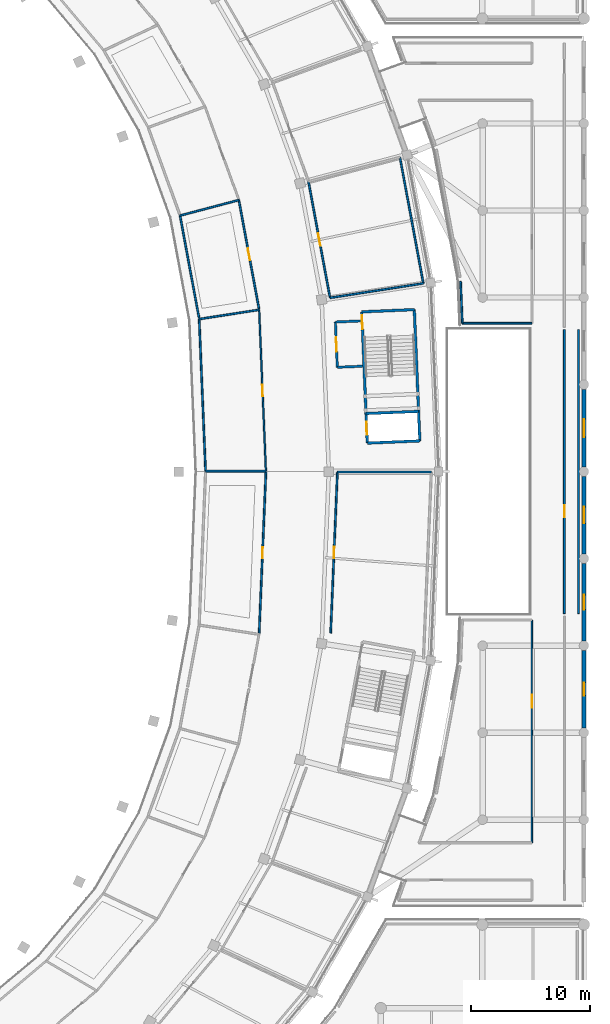
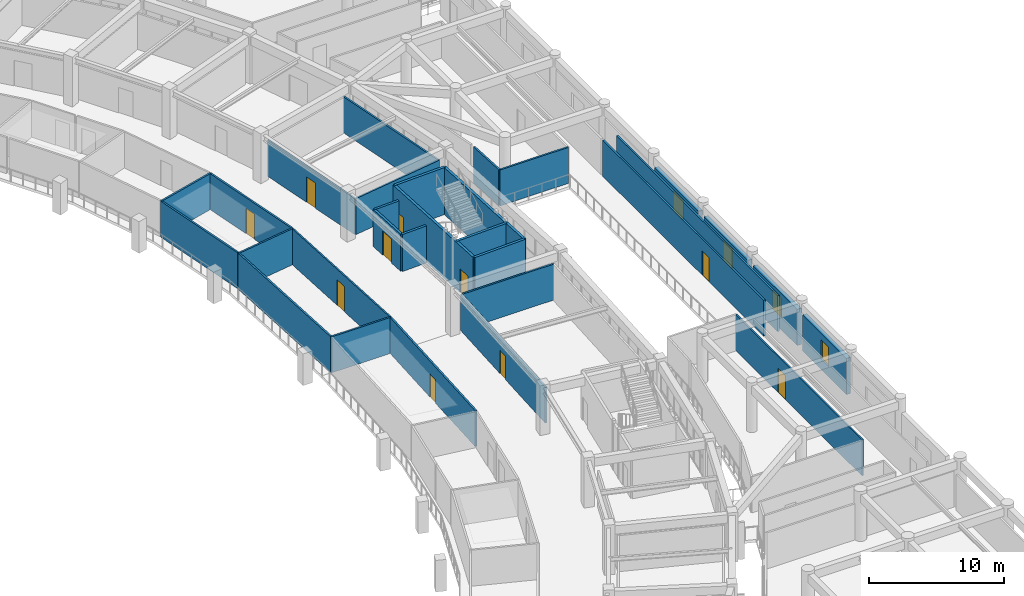
# One storey, part 101 of 141: 30 walls, 10 doors, 4 windows, 14 openings.
"""IFC4 building model written with IfcOpenShell, lengths in metres."""

from ifc_helpers import new_model, si_unit, direction, frame, frame_2d, origin, place, context, subcontext, project, spatial, rectangle, extrude, material, layer, layer_set, type_object, element, fill, save


model = new_model("IFC4")

# Units and contexts
model_context = context("Model", 3, precision=1e-05, world=origin(), true_north=direction((0.0, 1.0)))
body_context = subcontext(model_context, "Body", "Model", "MODEL_VIEW")
ifc_project = project(units=[si_unit("LENGTHUNIT", "METRE"), si_unit("AREAUNIT", "SQUARE_METRE"), si_unit("VOLUMEUNIT", "CUBIC_METRE"), si_unit("PLANEANGLEUNIT", "RADIAN"), si_unit("MASSUNIT", "GRAM", prefix="KILO")], contexts=[model_context])

# Site, building, storey
site_placement = place(None, origin())
site = spatial("IfcSite", under=ifc_project, at=site_placement, CompositionType="ELEMENT")
building_placement = place(site_placement, origin())
building = spatial("IfcBuilding", under=site, at=building_placement, Name="Mphavela Belvedere Stadium", CompositionType="ELEMENT")
storey_placement = place(building_placement, frame((0.0, 0.0, 14.699951171875)))
storey = spatial("IfcBuildingStorey", under=building, at=storey_placement, Name="L03", CompositionType="ELEMENT", Elevation=14.699951171875)

# Walls
ifc_material_1 = material(Name="Concrete C40/50", Category="concrete")
ifc_layer_1 = layer(ifc_material_1, 0.219970703125)
ifc_layer_set_1 = layer_set([ifc_layer_1], Name="Concrete C40/50")
wall_type_1 = type_object("IfcWallType", Name="WAL-CORE-SHEAR-220", PredefinedType="SHEAR", material=ifc_layer_set_1)
wall_1_placement = place(storey_placement, frame((215.771728515625, 100.585205078125, 0.0), z_axis=(0.0, 0.0, 1.0), x_axis=(0.041871977473, -0.999122984173, 0.0)))
element("IfcWall", 1, at=wall_1_placement, inside=storey, type_object=wall_type_1, Name="Core C01 shear wall L03 rear", PredefinedType="SHEAR", context=body_context, shape_type="SweptSolid", body=[
    extrude(rectangle(XDim=11.02001953125, YDim=0.219970703125, at=frame_2d((5.510009765625, 0.0))), origin(), (0.0, 0.0, 1.0), 4.25),
])
for number, where, z_axis, x_axis, name in (
    (2, (211.365478515625, 100.400390625, 0.0), (0.0, 0.0, 1.0), (0.999121521721, 0.041906859039, 0.0), "Core C01 shear wall L03 left"),
    (3, (211.826904296875, 89.39013671875, 0.0), (0.0, 0.0, 1.0), (0.999121521721, 0.041906859039, 0.0), "Core C01 shear wall L03 right"),
):
    element("IfcWall", number, at=place(storey_placement, frame(where, z_axis=z_axis, x_axis=x_axis)), inside=storey, type_object=wall_type_1, Name=name, PredefinedType="SHEAR", context=body_context, shape_type="SweptSolid", body=[
        extrude(rectangle(XDim=4.41015625, YDim=0.219970703125, at=frame_2d((2.205078125, 0.0))), origin(), (0.0, 0.0, 1.0), 4.25),
    ])

# Wall, openings, doors
wall_2_placement = place(storey_placement, frame((211.365478515625, 100.400390625, 0.0), z_axis=(0.0, 0.0, 1.0), x_axis=(0.041871977473, -0.999122984173, 0.0)))
wall_2 = element("IfcWall", 4, at=wall_2_placement, inside=storey, type_object=wall_type_1, Name="Core C01 shear wall L03 front", PredefinedType="SHEAR", context=body_context, shape_type="SweptSolid", body=[
    extrude(rectangle(XDim=11.02001953125, YDim=0.219970703125, at=frame_2d((5.510009765625, 0.0))), origin(), (0.0, 0.0, 1.0), 4.25),
])
opening_1_placement = place(wall_2_placement, frame((0.300048828125, 0.0, 0.0)))
opening_1 = element("IfcOpeningElement", 5, at=opening_1_placement, cuts=wall_2, Name="Opening SD-004", PredefinedType="OPENING", context=body_context, shape_type="SweptSolid", body=[
    extrude(rectangle(XDim=1.14990234375, YDim=2.14990234375, at=frame_2d((0.574951171875, 1.074951171875))), frame((0.0, 0.1201171875, 0.0), z_axis=(0.0, -1.0, 0.0), x_axis=(1.0, 0.0, 0.0)), (0.0, 0.0, 1.0), 0.239990234375),
])
opening_2_placement = place(wall_2_placement, frame((9.22998046875, 0.0, 0.0)))
opening_2 = element("IfcOpeningElement", 6, at=opening_2_placement, cuts=wall_2, Name="Opening LD-004", PredefinedType="OPENING", context=body_context, shape_type="SweptSolid", body=[
    extrude(rectangle(XDim=1.10009765625, YDim=2.14990234375, at=frame_2d((0.550048828125, 1.074951171875))), frame((0.0, 0.1201171875, 0.0), z_axis=(0.0, -1.0, 0.0), x_axis=(1.0, 0.0, 0.0)), (0.0, 0.0, 1.0), 0.239990234375),
])
ifc_material_2 = material(Name="Stainless steel center-parting lift landing door", Category="steel")
door_type_1 = type_object("IfcDoorType", Name="DR-LIFT-SLIDE-1100", OperationType="NOTDEFINED", PredefinedType="DOOR", material=ifc_material_2)
door_1_placement = place(opening_2_placement, origin())
door_1 = element("IfcDoor", 7, at=door_1_placement, inside=storey, type_object=door_type_1, Name="Lift landing sliding door FL01 L03", OperationType="DOUBLE_DOOR_SLIDING", OverallHeight=2.14990234375, OverallWidth=1.10009765625, PredefinedType="DOOR", context=body_context, shape_type="SweptSolid", body=[
    extrude(rectangle(XDim=1.10009765625, YDim=2.14990234375, at=frame_2d((0.550048828125, 1.074951171875))), frame((0.0, 0.02490234375, 0.0), z_axis=(0.0, -1.0, 0.0), x_axis=(1.0, 0.0, 0.0)), (0.0, 0.0, 1.0), 0.050048828125),
])
fill(opening_2, door_1)
ifc_material_3 = material(Name="Steel acoustic fire-resisting stair doorset", Category="steel")
door_type_2 = type_object("IfcDoorType", Name="DR-STAIR-FIRE-1150", OperationType="NOTDEFINED", PredefinedType="DOOR", material=ifc_material_3)
door_2_placement = place(opening_1_placement, origin())
door_2 = element("IfcDoor", 8, at=door_2_placement, inside=storey, type_object=door_type_2, Name="Escape stair fire door C01 L03", OperationType="SINGLE_SWING_LEFT", OverallHeight=2.14990234375, OverallWidth=1.14990234375, PredefinedType="DOOR", context=body_context, shape_type="SweptSolid", body=[
    extrude(rectangle(XDim=1.14990234375, YDim=2.14990234375, at=frame_2d((0.574951171875, 1.074951171875))), frame((0.0, 0.02490234375, 0.0), z_axis=(0.0, -1.0, 0.0), x_axis=(1.0, 0.0, 0.0)), (0.0, 0.0, 1.0), 0.050048828125),
])
fill(opening_1, door_2)

# Wall
wall_3_placement = place(storey_placement, frame((211.72314453125, 91.867919921875, 0.0), z_axis=(0.0, 0.0, 1.0), x_axis=(0.999121521721, 0.041906859039, 0.0)))
element("IfcWall", 9, at=wall_3_placement, inside=storey, type_object=wall_type_1, Name="Core C01 shear wall L03 div", PredefinedType="SHEAR", context=body_context, shape_type="SweptSolid", body=[
    extrude(rectangle(XDim=4.41015625, YDim=0.219970703125, at=frame_2d((2.205078125, 0.0))), origin(), (0.0, 0.0, 1.0), 4.25),
])

# Wall, opening, window
ifc_material_4 = material(Name="Honed ashlar limestone masonry", Category="masonry")
ifc_layer_2 = layer(ifc_material_4, 0.35009765625)
ifc_layer_set_2 = layer_set([ifc_layer_2], Name="Honed ashlar limestone masonry")
wall_type_2 = type_object("IfcWallType", Name="WAL-EXT-ASHLAR-350", PredefinedType="STANDARD", material=ifc_layer_set_2)
wall_4_placement = place(storey_placement, frame((230.0, 72.001953125, 0.0), z_axis=(0.0, 0.0, 1.0), x_axis=(0.0, -1.0, 0.0)))
wall_4 = element("IfcWall", 10, at=wall_4_placement, inside=storey, type_object=wall_type_2, Name="East Planted Eaves Peristyle Colonnade outer facade bay L03-03", PredefinedType="STANDARD", context=body_context, shape_type="SweptSolid", body=[
    extrude(rectangle(XDim=6.50390625, YDim=0.35009765625, at=frame_2d((3.251953125, 0.0))), origin(), (0.0, 0.0, 1.0), 3.260009765625),
])
opening_3_placement = place(wall_4_placement, frame((2.701904296875, 0.0, 0.89990234375)))
opening_3 = element("IfcOpeningElement", 11, at=opening_3_placement, cuts=wall_4, Name="Opening W-320", PredefinedType="OPENING", context=body_context, shape_type="SweptSolid", body=[
    extrude(rectangle(XDim=1.10009765625, YDim=1.75, at=frame_2d((0.550048828125, 0.875))), frame((0.0, 0.18505859375, 0.0), z_axis=(0.0, -1.0, 0.0), x_axis=(1.0, 0.0, 0.0)), (0.0, 0.0, 1.0), 0.3701171875),
])
ifc_material_5 = material(Name="Bronze-anodised thermally broken aluminium window", Category="aluminium")
window_type_1 = type_object("IfcWindowType", Name="WIN-EXT-12", PartitioningType="SINGLE_PANEL", PredefinedType="WINDOW", material=ifc_material_5)
window_1_placement = place(opening_3_placement, origin())
window_1 = element("IfcWindow", 12, at=window_1_placement, inside=storey, type_object=window_type_1, Name="East Planted Eaves Peristyle Colonnade classical window W-320", OverallHeight=1.75, OverallWidth=1.10009765625, PartitioningType="SINGLE_PANEL", PredefinedType="WINDOW", context=body_context, shape_type="SweptSolid", body=[
    extrude(rectangle(XDim=1.10009765625, YDim=1.75, at=frame_2d((0.550048828125, 0.875))), frame((0.0, 0.030029296875, 0.0), z_axis=(0.0, -1.0, 0.0), x_axis=(1.0, 0.0, 0.0)), (0.0, 0.0, 1.0), 0.06005859375),
])
fill(opening_3, window_1)

wall_5_placement = place(storey_placement, frame((230.0, 79.302001953125, 0.0), z_axis=(0.0, 0.0, 1.0), x_axis=(0.0, -1.0, 0.0)))
wall_5 = element("IfcWall", 13, at=wall_5_placement, inside=storey, type_object=wall_type_2, Name="East Planted Eaves Peristyle Colonnade outer facade bay L03-04", PredefinedType="STANDARD", context=body_context, shape_type="SweptSolid", body=[
    extrude(rectangle(XDim=6.50390625, YDim=0.35009765625, at=frame_2d((3.251953125, 0.0))), origin(), (0.0, 0.0, 1.0), 3.260009765625),
])
opening_4_placement = place(wall_5_placement, frame((2.632080078125, 0.0, 0.89990234375)))
opening_4 = element("IfcOpeningElement", 14, at=opening_4_placement, cuts=wall_5, Name="Opening W-321", PredefinedType="OPENING", context=body_context, shape_type="SweptSolid", body=[
    extrude(rectangle(XDim=1.239990234375, YDim=1.75, at=frame_2d((0.6201171875, 0.875))), frame((0.0, 0.18505859375, 0.0), z_axis=(0.0, -1.0, 0.0), x_axis=(1.0, 0.0, 0.0)), (0.0, 0.0, 1.0), 0.3701171875),
])
ifc_material_6 = material(Name="Bronze-anodised thermally broken aluminium window", Category="aluminium")
window_type_2 = type_object("IfcWindowType", Name="WIN-EXT-13", PartitioningType="SINGLE_PANEL", PredefinedType="WINDOW", material=ifc_material_6)
window_2_placement = place(opening_4_placement, origin())
window_2 = element("IfcWindow", 15, at=window_2_placement, inside=storey, type_object=window_type_2, Name="East Planted Eaves Peristyle Colonnade classical window W-321", OverallHeight=1.75, OverallWidth=1.239990234375, PartitioningType="SINGLE_PANEL", PredefinedType="WINDOW", context=body_context, shape_type="SweptSolid", body=[
    extrude(rectangle(XDim=1.239990234375, YDim=1.75, at=frame_2d((0.6201171875, 0.875))), frame((0.0, 0.030029296875, 0.0), z_axis=(0.0, -1.0, 0.0), x_axis=(1.0, 0.0, 0.0)), (0.0, 0.0, 1.0), 0.06005859375),
])
fill(opening_4, window_2)

wall_6_placement = place(storey_placement, frame((230.0, 86.60205078125, 0.0), z_axis=(0.0, 0.0, 1.0), x_axis=(0.0, -1.0, 0.0)))
wall_6 = element("IfcWall", 16, at=wall_6_placement, inside=storey, type_object=wall_type_2, Name="East Planted Eaves Peristyle Colonnade outer facade bay L03-05", PredefinedType="STANDARD", context=body_context, shape_type="SweptSolid", body=[
    extrude(rectangle(XDim=6.504150390625, YDim=0.35009765625, at=frame_2d((3.251953125, 0.0))), origin(), (0.0, 0.0, 1.0), 3.260009765625),
])
opening_5_placement = place(wall_6_placement, frame((2.56201171875, 0.0, 0.89990234375)))
opening_5 = element("IfcOpeningElement", 17, at=opening_5_placement, cuts=wall_6, Name="Opening W-322", PredefinedType="OPENING", context=body_context, shape_type="SweptSolid", body=[
    extrude(rectangle(XDim=1.3798828125, YDim=1.75, at=frame_2d((0.68994140625, 0.875))), frame((0.0, 0.18505859375, 0.0), z_axis=(0.0, -1.0, 0.0), x_axis=(1.0, 0.0, 0.0)), (0.0, 0.0, 1.0), 0.3701171875),
])
ifc_material_7 = material(Name="Bronze-anodised thermally broken aluminium window", Category="aluminium")
window_type_3 = type_object("IfcWindowType", Name="WIN-EXT-14", PartitioningType="SINGLE_PANEL", PredefinedType="WINDOW", material=ifc_material_7)
window_3_placement = place(opening_5_placement, origin())
window_3 = element("IfcWindow", 18, at=window_3_placement, inside=storey, type_object=window_type_3, Name="East Planted Eaves Peristyle Colonnade classical window W-322", OverallHeight=1.75, OverallWidth=1.3798828125, PartitioningType="SINGLE_PANEL", PredefinedType="WINDOW", context=body_context, shape_type="SweptSolid", body=[
    extrude(rectangle(XDim=1.3798828125, YDim=1.75, at=frame_2d((0.68994140625, 0.875))), frame((0.0, 0.030029296875, 0.0), z_axis=(0.0, -1.0, 0.0), x_axis=(1.0, 0.0, 0.0)), (0.0, 0.0, 1.0), 0.06005859375),
])
fill(opening_5, window_3)

wall_7_placement = place(storey_placement, frame((230.0, 93.902099609375, 0.0), z_axis=(0.0, 0.0, 1.0), x_axis=(0.0, -1.0, 0.0)))
wall_7 = element("IfcWall", 19, at=wall_7_placement, inside=storey, type_object=wall_type_2, Name="East Planted Eaves Peristyle Colonnade outer facade bay L03-06", PredefinedType="STANDARD", context=body_context, shape_type="SweptSolid", body=[
    extrude(rectangle(XDim=6.504150390625, YDim=0.35009765625, at=frame_2d((3.251953125, 0.0))), origin(), (0.0, 0.0, 1.0), 3.260009765625),
])
opening_6_placement = place(wall_7_placement, frame((2.491943359375, 0.0, 0.89990234375)))
opening_6 = element("IfcOpeningElement", 20, at=opening_6_placement, cuts=wall_7, Name="Opening W-323", PredefinedType="OPENING", context=body_context, shape_type="SweptSolid", body=[
    extrude(rectangle(XDim=1.52001953125, YDim=1.75, at=frame_2d((0.760009765625, 0.875))), frame((0.0, 0.18505859375, 0.0), z_axis=(0.0, -1.0, 0.0), x_axis=(1.0, 0.0, 0.0)), (0.0, 0.0, 1.0), 0.3701171875),
])
ifc_material_8 = material(Name="Bronze-anodised thermally broken aluminium window", Category="aluminium")
window_type_4 = type_object("IfcWindowType", Name="WIN-EXT-15", PartitioningType="SINGLE_PANEL", PredefinedType="WINDOW", material=ifc_material_8)
window_4_placement = place(opening_6_placement, origin())
window_4 = element("IfcWindow", 21, at=window_4_placement, inside=storey, type_object=window_type_4, Name="East Planted Eaves Peristyle Colonnade classical window W-323", OverallHeight=1.75, OverallWidth=1.52001953125, PartitioningType="SINGLE_PANEL", PredefinedType="WINDOW", context=body_context, shape_type="SweptSolid", body=[
    extrude(rectangle(XDim=1.52001953125, YDim=1.75, at=frame_2d((0.760009765625, 0.875))), frame((0.0, 0.030029296875, 0.0), z_axis=(0.0, -1.0, 0.0), x_axis=(1.0, 0.0, 0.0)), (0.0, 0.0, 1.0), 0.06005859375),
])
fill(opening_6, window_4)

# Wall, opening, door
ifc_material_9 = material(Name="Moisture-resistant sanitary partition assembly")
ifc_layer_3 = layer(ifc_material_9, 0.125)
ifc_layer_set_3 = layer_set([ifc_layer_3], Name="Moisture-resistant sanitary partition assembly")
wall_type_3 = type_object("IfcWallType", Name="WAL-PART-125", PredefinedType="PARTITIONING", material=ifc_layer_set_3)
wall_8_placement = place(storey_placement, frame((202.7578125, 100.5712890625, 0.0), z_axis=(0.0, 0.0, 1.0), x_axis=(0.041894479342, -0.999122040894, 0.0)))
wall_8 = element("IfcWall", 22, at=wall_8_placement, inside=storey, type_object=wall_type_3, Name="Room L03-34 corridor partition", PredefinedType="PARTITIONING", context=body_context, shape_type="SweptSolid", body=[
    extrude(rectangle(XDim=13.543212890625, YDim=0.125, at=frame_2d((6.771484375, 0.0))), origin(), (0.0, 0.0, 1.0), 3.25),
])
opening_7_placement = place(wall_8_placement, frame((6.281494140625, 0.0, 0.0)))
opening_7 = element("IfcOpeningElement", 23, at=opening_7_placement, cuts=wall_8, Name="Opening ID-243", PredefinedType="OPENING", context=body_context, shape_type="SweptSolid", body=[
    extrude(rectangle(XDim=0.97998046875, YDim=2.300048828125, at=frame_2d((0.489990234375, 1.14990234375))), frame((0.0, 0.072509765625, 0.0), z_axis=(0.0, -1.0, 0.0), x_axis=(1.0, 0.0, 0.0)), (0.0, 0.0, 1.0), 0.14501953125),
])
ifc_material_10 = material(Name="Hardwood acoustic timber doorset", Category="wood")
door_type_3 = type_object("IfcDoorType", Name="DR-INT-27", OperationType="NOTDEFINED", PredefinedType="DOOR", material=ifc_material_10)
door_3_placement = place(opening_7_placement, origin())
door_3 = element("IfcDoor", 24, at=door_3_placement, inside=storey, type_object=door_type_3, Name="Room L03-34 entrance door ID-243", OperationType="SINGLE_SWING_LEFT", OverallHeight=2.300048828125, OverallWidth=0.97998046875, PredefinedType="DOOR", context=body_context, shape_type="SweptSolid", body=[
    extrude(rectangle(XDim=0.97998046875, YDim=2.300048828125, at=frame_2d((0.489990234375, 1.14990234375))), frame((0.0, 0.02490234375, 0.0), z_axis=(0.0, -1.0, 0.0), x_axis=(1.0, 0.0, 0.0)), (0.0, 0.0, 1.0), 0.050048828125),
])
fill(opening_7, door_3)

wall_9_placement = place(storey_placement, frame((225.639892578125, 74.550048828125, 0.0), z_axis=(0.0, 0.0, 1.0), x_axis=(0.0, -1.0, 0.0)))
wall_9 = element("IfcWall", 25, at=wall_9_placement, inside=storey, type_object=wall_type_3, Name="Room L03-205 corridor partition", PredefinedType="PARTITIONING", context=body_context, shape_type="SweptSolid", body=[
    extrude(rectangle(XDim=18.68994140625, YDim=0.125, at=frame_2d((9.344970703125, 0.0))), origin(), (0.0, 0.0, 1.0), 3.25),
])
opening_8_placement = place(wall_9_placement, frame((6.25244140625, 0.0, 0.0)))
opening_8 = element("IfcOpeningElement", 26, at=opening_8_placement, cuts=wall_9, Name="Opening ID-558", PredefinedType="OPENING", context=body_context, shape_type="SweptSolid", body=[
    extrude(rectangle(XDim=1.10009765625, YDim=2.199951171875, at=frame_2d((0.550048828125, 1.10009765625))), frame((0.0, 0.072509765625, 0.0), z_axis=(0.0, -1.0, 0.0), x_axis=(1.0, 0.0, 0.0)), (0.0, 0.0, 1.0), 0.14501953125),
])
ifc_material_11 = material(Name="Hardwood acoustic timber doorset", Category="wood")
door_type_4 = type_object("IfcDoorType", Name="DR-INT-18", OperationType="NOTDEFINED", PredefinedType="DOOR", material=ifc_material_11)
door_4_placement = place(opening_8_placement, origin())
door_4 = element("IfcDoor", 27, at=door_4_placement, inside=storey, type_object=door_type_4, Name="Room L03-205 entrance door ID-558", OperationType="SINGLE_SWING_RIGHT", OverallHeight=2.199951171875, OverallWidth=1.10009765625, PredefinedType="DOOR", context=body_context, shape_type="SweptSolid", body=[
    extrude(rectangle(XDim=1.10009765625, YDim=2.199951171875, at=frame_2d((0.550048828125, 1.10009765625))), frame((0.0, 0.02490234375, 0.0), z_axis=(0.0, -1.0, 0.0), x_axis=(1.0, 0.0, 0.0)), (0.0, 0.0, 1.0), 0.050048828125),
])
fill(opening_8, door_4)

ifc_material_12 = material(Name="Acoustic gypsum stud partition assembly")
ifc_layer_4 = layer(ifc_material_12, 0.14990234375)
ifc_layer_set_4 = layer_set([ifc_layer_4], Name="Acoustic gypsum stud partition assembly")
wall_type_4 = type_object("IfcWallType", Name="WAL-PART-150", PredefinedType="PARTITIONING", material=ifc_layer_set_4)
wall_10_placement = place(storey_placement, frame((201.053466796875, 109.779052734375, 0.0), z_axis=(0.0, 0.0, 1.0), x_axis=(0.182600545941, -0.983187184936, 0.0)))
wall_10 = element("IfcWall", 28, at=wall_10_placement, inside=storey, type_object=wall_type_4, Name="Room L03-36 corridor partition", PredefinedType="PARTITIONING", context=body_context, shape_type="SweptSolid", body=[
    extrude(rectangle(XDim=9.2841796875, YDim=0.14990234375, at=frame_2d((4.64208984375, 0.0))), origin(), (0.0, 0.0, 1.0), 3.25),
])
opening_9_placement = place(wall_10_placement, frame((4.132080078125, 0.0, 0.0)))
opening_9 = element("IfcOpeningElement", 29, at=opening_9_placement, cuts=wall_10, Name="Opening ID-244", PredefinedType="OPENING", context=body_context, shape_type="SweptSolid", body=[
    extrude(rectangle(XDim=1.02001953125, YDim=2.300048828125, at=frame_2d((0.510009765625, 1.14990234375))), frame((0.0, 0.0849609375, 0.0), z_axis=(0.0, -1.0, 0.0), x_axis=(1.0, 0.0, 0.0)), (0.0, 0.0, 1.0), 0.169921875),
])
ifc_material_13 = material(Name="Hardwood acoustic timber doorset", Category="wood")
door_type_5 = type_object("IfcDoorType", Name="DR-INT-28", OperationType="NOTDEFINED", PredefinedType="DOOR", material=ifc_material_13)
door_5_placement = place(opening_9_placement, origin())
door_5 = element("IfcDoor", 30, at=door_5_placement, inside=storey, type_object=door_type_5, Name="Room L03-36 entrance door ID-244", OperationType="SINGLE_SWING_RIGHT", OverallHeight=2.300048828125, OverallWidth=1.02001953125, PredefinedType="DOOR", context=body_context, shape_type="SweptSolid", body=[
    extrude(rectangle(XDim=1.02001953125, YDim=2.300048828125, at=frame_2d((0.510009765625, 1.14990234375))), frame((0.0, 0.02490234375, 0.0), z_axis=(0.0, -1.0, 0.0), x_axis=(1.0, 0.0, 0.0)), (0.0, 0.0, 1.0), 0.050048828125),
])
fill(opening_9, door_5)

wall_11_placement = place(storey_placement, frame((208.706787109375, 101.5751953125, 0.0), z_axis=(0.0, 0.0, 1.0), x_axis=(-0.182618024057, 0.983183938686, 0.0)))
wall_11 = element("IfcWall", 31, at=wall_11_placement, inside=storey, type_object=wall_type_4, Name="Room L03-37 corridor partition", PredefinedType="PARTITIONING", context=body_context, shape_type="SweptSolid", body=[
    extrude(rectangle(XDim=9.919677734375, YDim=0.14990234375, at=frame_2d((4.9599609375, 0.0))), origin(), (0.0, 0.0, 1.0), 3.25),
])
opening_10_placement = place(wall_11_placement, frame((4.429931640625, 0.0, 0.0)))
opening_10 = element("IfcOpeningElement", 32, at=opening_10_placement, cuts=wall_11, Name="Opening ID-245", PredefinedType="OPENING", context=body_context, shape_type="SweptSolid", body=[
    extrude(rectangle(XDim=1.06005859375, YDim=2.300048828125, at=frame_2d((0.530029296875, 1.14990234375))), frame((0.0, 0.0849609375, 0.0), z_axis=(0.0, -1.0, 0.0), x_axis=(1.0, 0.0, 0.0)), (0.0, 0.0, 1.0), 0.169921875),
])
ifc_material_14 = material(Name="Hardwood acoustic timber doorset", Category="wood")
door_type_6 = type_object("IfcDoorType", Name="DR-INT-29", OperationType="NOTDEFINED", PredefinedType="DOOR", material=ifc_material_14)
door_6_placement = place(opening_10_placement, origin())
door_6 = element("IfcDoor", 33, at=door_6_placement, inside=storey, type_object=door_type_6, Name="Room L03-37 entrance door ID-245", OperationType="SINGLE_SWING_LEFT", OverallHeight=2.300048828125, OverallWidth=1.06005859375, PredefinedType="DOOR", context=body_context, shape_type="SweptSolid", body=[
    extrude(rectangle(XDim=1.06005859375, YDim=2.300048828125, at=frame_2d((0.530029296875, 1.14990234375))), frame((0.0, 0.02490234375, 0.0), z_axis=(0.0, -1.0, 0.0), x_axis=(1.0, 0.0, 0.0)), (0.0, 0.0, 1.0), 0.050048828125),
])
fill(opening_10, door_6)

wall_12_placement = place(storey_placement, frame((203.3251953125, 86.9599609375, 0.0), z_axis=(0.0, 0.0, 1.0), x_axis=(-0.041894479342, -0.999122040894, 0.0)))
wall_12 = element("IfcWall", 34, at=wall_12_placement, inside=storey, type_object=wall_type_4, Name="Room L03-163 corridor partition", PredefinedType="PARTITIONING", context=body_context, shape_type="SweptSolid", body=[
    extrude(rectangle(XDim=13.543212890625, YDim=0.14990234375, at=frame_2d((6.771484375, 0.0))), origin(), (0.0, 0.0, 1.0), 3.25),
])
opening_11_placement = place(wall_12_placement, frame((6.321533203125, 0.0, 0.0)))
opening_11 = element("IfcOpeningElement", 35, at=opening_11_placement, cuts=wall_12, Name="Opening ID-325", PredefinedType="OPENING", context=body_context, shape_type="SweptSolid", body=[
    extrude(rectangle(XDim=0.89990234375, YDim=2.10009765625, at=frame_2d((0.449951171875, 1.050048828125))), frame((0.0, 0.0849609375, 0.0), z_axis=(0.0, -1.0, 0.0), x_axis=(1.0, 0.0, 0.0)), (0.0, 0.0, 1.0), 0.169921875),
])
ifc_material_15 = material(Name="Hardwood acoustic timber doorset", Category="wood")
door_type_7 = type_object("IfcDoorType", Name="DR-INT-01", OperationType="NOTDEFINED", PredefinedType="DOOR", material=ifc_material_15)
door_7_placement = place(opening_11_placement, origin())
door_7 = element("IfcDoor", 36, at=door_7_placement, inside=storey, type_object=door_type_7, Name="Room L03-163 entrance door ID-325", OperationType="SINGLE_SWING_LEFT", OverallHeight=2.10009765625, OverallWidth=0.89990234375, PredefinedType="DOOR", context=body_context, shape_type="SweptSolid", body=[
    extrude(rectangle(XDim=0.89990234375, YDim=2.10009765625, at=frame_2d((0.449951171875, 1.050048828125))), frame((0.0, 0.02490234375, 0.0), z_axis=(0.0, -1.0, 0.0), x_axis=(1.0, 0.0, 0.0)), (0.0, 0.0, 1.0), 0.050048828125),
])
fill(opening_11, door_7)

wall_13_placement = place(storey_placement, frame((208.756103515625, 73.4619140625, 0.0), z_axis=(0.0, 0.0, 1.0), x_axis=(0.04192519436, 0.999120752501, 0.0)))
wall_13 = element("IfcWall", 37, at=wall_13_placement, inside=storey, type_object=wall_type_4, Name="Room L03-164 corridor partition", PredefinedType="PARTITIONING", context=body_context, shape_type="SweptSolid", body=[
    extrude(rectangle(XDim=13.510009765625, YDim=0.14990234375, at=frame_2d((6.7548828125, 0.0))), origin(), (0.0, 0.0, 1.0), 3.25),
])
opening_12_placement = place(wall_13_placement, frame((6.284912109375, 0.0, 0.0)))
opening_12 = element("IfcOpeningElement", 38, at=opening_12_placement, cuts=wall_13, Name="Opening ID-326", PredefinedType="OPENING", context=body_context, shape_type="SweptSolid", body=[
    extrude(rectangle(XDim=0.93994140625, YDim=2.10009765625, at=frame_2d((0.469970703125, 1.050048828125))), frame((0.0, 0.0849609375, 0.0), z_axis=(0.0, -1.0, 0.0), x_axis=(1.0, 0.0, 0.0)), (0.0, 0.0, 1.0), 0.169921875),
])
ifc_material_16 = material(Name="Hardwood acoustic timber doorset", Category="wood")
door_type_8 = type_object("IfcDoorType", Name="DR-INT-02", OperationType="NOTDEFINED", PredefinedType="DOOR", material=ifc_material_16)
door_8_placement = place(opening_12_placement, origin())
door_8 = element("IfcDoor", 39, at=door_8_placement, inside=storey, type_object=door_type_8, Name="Room L03-164 entrance door ID-326", OperationType="SINGLE_SWING_RIGHT", OverallHeight=2.10009765625, OverallWidth=0.93994140625, PredefinedType="DOOR", context=body_context, shape_type="SweptSolid", body=[
    extrude(rectangle(XDim=0.93994140625, YDim=2.10009765625, at=frame_2d((0.469970703125, 1.050048828125))), frame((0.0, 0.02490234375, 0.0), z_axis=(0.0, -1.0, 0.0), x_axis=(1.0, 0.0, 0.0)), (0.0, 0.0, 1.0), 0.050048828125),
])
fill(opening_12, door_8)

wall_14_placement = place(storey_placement, frame((228.360107421875, 75.083251953125, 0.0), z_axis=(0.0, 0.0, 1.0), x_axis=(0.0, 1.0, 0.0)))
wall_14 = element("IfcWall", 40, at=wall_14_placement, inside=storey, type_object=wall_type_4, Name="Room L03-203 corridor partition", PredefinedType="PARTITIONING", context=body_context, shape_type="SweptSolid", body=[
    extrude(rectangle(XDim=23.83349609375, YDim=0.14990234375, at=frame_2d((11.916748046875, 0.0))), origin(), (0.0, 0.0, 1.0), 3.25),
])
opening_13_placement = place(wall_14_placement, frame((8.080810546875, 0.0, 0.0)))
opening_13 = element("IfcOpeningElement", 41, at=opening_13_placement, cuts=wall_14, Name="Opening ID-556", PredefinedType="OPENING", context=body_context, shape_type="SweptSolid", body=[
    extrude(rectangle(XDim=1.02001953125, YDim=2.199951171875, at=frame_2d((0.510009765625, 1.10009765625))), frame((0.0, 0.0849609375, 0.0), z_axis=(0.0, -1.0, 0.0), x_axis=(1.0, 0.0, 0.0)), (0.0, 0.0, 1.0), 0.169921875),
])
ifc_material_17 = material(Name="Hardwood acoustic timber doorset", Category="wood")
door_type_9 = type_object("IfcDoorType", Name="DR-INT-16", OperationType="NOTDEFINED", PredefinedType="DOOR", material=ifc_material_17)
door_9_placement = place(opening_13_placement, origin())
door_9 = element("IfcDoor", 42, at=door_9_placement, inside=storey, type_object=door_type_9, Name="Room L03-203 entrance door ID-556", OperationType="SINGLE_SWING_RIGHT", OverallHeight=2.199951171875, OverallWidth=1.02001953125, PredefinedType="DOOR", context=body_context, shape_type="SweptSolid", body=[
    extrude(rectangle(XDim=1.02001953125, YDim=2.199951171875, at=frame_2d((0.510009765625, 1.10009765625))), frame((0.0, 0.02490234375, 0.0), z_axis=(0.0, -1.0, 0.0), x_axis=(1.0, 0.0, 0.0)), (0.0, 0.0, 1.0), 0.050048828125),
])
fill(opening_13, door_9)

# Walls
wall_15_placement = place(storey_placement, frame((198.264404296875, 87.0400390625, 0.0), z_axis=(0.0, 0.0, 1.0), x_axis=(-0.04191221065, 0.99912129724, 0.0)))
element("IfcWall", 43, at=wall_15_placement, inside=storey, type_object=wall_type_4, Name="Room divider partition L03-0434", PredefinedType="PARTITIONING", context=body_context, shape_type="SweptSolid", body=[
    extrude(rectangle(XDim=12.7626953125, YDim=0.14990234375, at=frame_2d((6.38134765625, 0.0))), origin(), (0.0, 0.0, 1.0), 3.25),
])
wall_16_placement = place(storey_placement, frame((197.7294921875, 99.79150390625, 0.0), z_axis=(0.0, 0.0, 1.0), x_axis=(0.988187937952, 0.153246857342, 0.0)))
element("IfcWall", 44, at=wall_16_placement, inside=storey, type_object=wall_type_4, Name="Room divider partition L03-0435", PredefinedType="PARTITIONING", context=body_context, shape_type="SweptSolid", body=[
    extrude(rectangle(XDim=5.08837890625, YDim=0.14990234375, at=frame_2d((2.544189453125, 0.0))), origin(), (0.0, 0.0, 1.0), 3.25),
])
wall_17_placement = place(storey_placement, frame((203.3251953125, 87.0400390625, 0.0), z_axis=(0.0, 0.0, 1.0), x_axis=(-1.0, 0.0, 0.0)))
element("IfcWall", 45, at=wall_17_placement, inside=storey, type_object=wall_type_4, Name="Room divider partition L03-0436", PredefinedType="PARTITIONING", context=body_context, shape_type="SweptSolid", body=[
    extrude(rectangle(XDim=5.060791015625, YDim=0.14990234375, at=frame_2d((2.5302734375, 0.0))), origin(), (0.0, 0.0, 1.0), 3.25),
])
wall_18_placement = place(storey_placement, frame((197.72021484375, 99.87109375, 0.0), z_axis=(0.0, 0.0, 1.0), x_axis=(-0.18261493362, 0.983184512703, 0.0)))
element("IfcWall", 46, at=wall_18_placement, inside=storey, type_object=wall_type_4, Name="Room divider partition L03-0437", PredefinedType="PARTITIONING", context=body_context, shape_type="SweptSolid", body=[
    extrude(rectangle(XDim=8.747314453125, YDim=0.14990234375, at=frame_2d((4.37353515625, 0.0))), origin(), (0.0, 0.0, 1.0), 3.25),
])
wall_19_placement = place(storey_placement, frame((196.122802734375, 108.471435546875, 0.0), z_axis=(0.0, 0.0, 1.0), x_axis=(0.966586731076, 0.256339796576, 0.0)))
element("IfcWall", 47, at=wall_19_placement, inside=storey, type_object=wall_type_4, Name="Room divider partition L03-0438", PredefinedType="PARTITIONING", context=body_context, shape_type="SweptSolid", body=[
    extrude(rectangle(XDim=5.10107421875, YDim=0.14990234375, at=frame_2d((2.550537109375, 0.0))), origin(), (0.0, 0.0, 1.0), 3.25),
])
wall_20_placement = place(storey_placement, frame((214.56640625, 113.3623046875, 0.0), z_axis=(0.0, 0.0, 1.0), x_axis=(0.182607868301, -0.983185824976, 0.0)))
element("IfcWall", 48, at=wall_20_placement, inside=storey, type_object=wall_type_4, Name="Room divider partition L03-0440", PredefinedType="PARTITIONING", context=body_context, shape_type="SweptSolid", body=[
    extrude(rectangle(XDim=10.754638671875, YDim=0.14990234375, at=frame_2d((5.37744140625, 0.0))), origin(), (0.0, 0.0, 1.0), 3.25),
])
wall_21_placement = place(storey_placement, frame((216.5302734375, 102.78857421875, 0.0), z_axis=(0.0, 0.0, 1.0), x_axis=(-0.988185582016, -0.153262048451, 0.0)))
element("IfcWall", 49, at=wall_21_placement, inside=storey, type_object=wall_type_4, Name="Room divider partition L03-0441", PredefinedType="PARTITIONING", context=body_context, shape_type="SweptSolid", body=[
    extrude(rectangle(XDim=7.9169921875, YDim=0.14990234375, at=frame_2d((3.95849609375, 0.0))), origin(), (0.0, 0.0, 1.0), 3.25),
])
wall_22_placement = place(storey_placement, frame((209.322509765625, 86.9599609375, 0.0), z_axis=(0.0, 0.0, 1.0), x_axis=(1.0, 0.0, 0.0)))
element("IfcWall", 50, at=wall_22_placement, inside=storey, type_object=wall_type_4, Name="Room divider partition L03-0586", PredefinedType="PARTITIONING", context=body_context, shape_type="SweptSolid", body=[
    extrude(rectangle(XDim=7.873779296875, YDim=0.14990234375, at=frame_2d((3.93701171875, 0.0))), origin(), (0.0, 0.0, 1.0), 3.25),
])
wall_23_placement = place(storey_placement, frame((229.550048828125, 98.916748046875, 0.0), z_axis=(0.0, 0.0, 1.0), x_axis=(0.0, -1.0, 0.0)))
element("IfcWall", 51, at=wall_23_placement, inside=storey, type_object=wall_type_4, Name="Room divider partition L03-1271", PredefinedType="PARTITIONING", context=body_context, shape_type="SweptSolid", body=[
    extrude(rectangle(XDim=23.83349609375, YDim=0.14990234375, at=frame_2d((11.916748046875, 0.0))), origin(), (0.0, 0.0, 1.0), 3.25),
])
wall_24_placement = place(storey_placement, frame((225.639892578125, 99.449951171875, 0.0), z_axis=(0.0, 0.0, 1.0), x_axis=(-1.0, 0.0, 0.0)))
element("IfcWall", 52, at=wall_24_placement, inside=storey, type_object=wall_type_4, Name="Room divider partition L03-1280", PredefinedType="PARTITIONING", context=body_context, shape_type="SweptSolid", body=[
    extrude(rectangle(XDim=5.83984375, YDim=0.14990234375, at=frame_2d((2.919921875, 0.0))), origin(), (0.0, 0.0, 1.0), 3.25),
])
wall_25_placement = place(storey_placement, frame((219.800048828125, 99.449951171875, 0.0), z_axis=(0.0, 0.0, 1.0), x_axis=(-0.041888559174, 0.999122289117, 0.0)))
element("IfcWall", 53, at=wall_25_placement, inside=storey, type_object=wall_type_4, Name="Room divider partition L03-1281", PredefinedType="PARTITIONING", context=body_context, shape_type="SweptSolid", body=[
    extrude(rectangle(XDim=3.5029296875, YDim=0.14990234375, at=frame_2d((1.75146484375, 0.0))), origin(), (0.0, 0.0, 1.0), 3.25),
])

# Wall, opening, door
ifc_material_18 = material(Name="Fire-rated calcium silicate partition assembly")
ifc_layer_5 = layer(ifc_material_18, 0.199951171875)
ifc_layer_set_5 = layer_set([ifc_layer_5], Name="Fire-rated calcium silicate partition assembly")
wall_type_5 = type_object("IfcWallType", Name="WAL-PART-FF-200", PredefinedType="PARTITIONING", material=ifc_layer_set_5)
wall_26_placement = place(storey_placement, frame((209.154296875, 99.547119140625, 0.0), z_axis=(0.0, 0.0, 1.0), x_axis=(0.041889762691, -0.999122238658, 0.0)))
wall_26 = element("IfcWall", 54, at=wall_26_placement, inside=storey, type_object=wall_type_5, Name="Firefighting lobby front wall C01 L03", PredefinedType="PARTITIONING", context=body_context, shape_type="SweptSolid", body=[
    extrude(rectangle(XDim=3.800048828125, YDim=0.199951171875, at=frame_2d((1.89990234375, 0.0))), origin(), (0.0, 0.0, 1.0), 3.35009765625),
])
opening_14_placement = place(wall_26_placement, frame((1.300048828125, 0.0, 0.0)))
opening_14 = element("IfcOpeningElement", 55, at=opening_14_placement, cuts=wall_26, Name="Opening FD-004", PredefinedType="OPENING", context=body_context, shape_type="SweptSolid", body=[
    extrude(rectangle(XDim=1.199951171875, YDim=2.179931640625, at=frame_2d((0.60009765625, 1.08984375))), frame((0.0, 0.10986328125, 0.0), z_axis=(0.0, -1.0, 0.0), x_axis=(1.0, 0.0, 0.0)), (0.0, 0.0, 1.0), 0.219970703125),
])
ifc_material_19 = material(Name="Steel smoke-sealed firefighting lobby doorset", Category="steel")
door_type_10 = type_object("IfcDoorType", Name="DR-FF-LOBBY-1200", OperationType="NOTDEFINED", PredefinedType="DOOR", material=ifc_material_19)
door_10_placement = place(opening_14_placement, origin())
door_10 = element("IfcDoor", 56, at=door_10_placement, inside=storey, type_object=door_type_10, Name="Firefighting lobby door C01 L03", OperationType="SINGLE_SWING_RIGHT", OverallHeight=2.179931640625, OverallWidth=1.199951171875, PredefinedType="DOOR", context=body_context, shape_type="SweptSolid", body=[
    extrude(rectangle(XDim=1.199951171875, YDim=2.179931640625, at=frame_2d((0.60009765625, 1.08984375))), frame((0.0, 0.02490234375, 0.0), z_axis=(0.0, -1.0, 0.0), x_axis=(1.0, 0.0, 0.0)), (0.0, 0.0, 1.0), 0.050048828125),
])
fill(opening_14, door_10)

# Walls
for number, where, z_axis, x_axis, name in (
    (57, (209.154296875, 99.547119140625, 0.0), (0.0, 0.0, 1.0), (0.999121056799, 0.041917941987, 0.0), "Firefighting lobby side wall L C01 L03"),
    (58, (209.3134765625, 95.75048828125, 0.0), (0.0, 0.0, 1.0), (0.999121056799, 0.041917941987, 0.0), "Firefighting lobby side wall R C01 L03"),
):
    element("IfcWall", number, at=place(storey_placement, frame(where, z_axis=z_axis, x_axis=x_axis)), inside=storey, type_object=wall_type_5, Name=name, PredefinedType="PARTITIONING", context=body_context, shape_type="SweptSolid", body=[
        extrude(rectangle(XDim=2.1201171875, YDim=0.199951171875, at=frame_2d((1.06005859375, 0.0))), origin(), (0.0, 0.0, 1.0), 3.35009765625),
    ])

save(model, "model.ifc")
